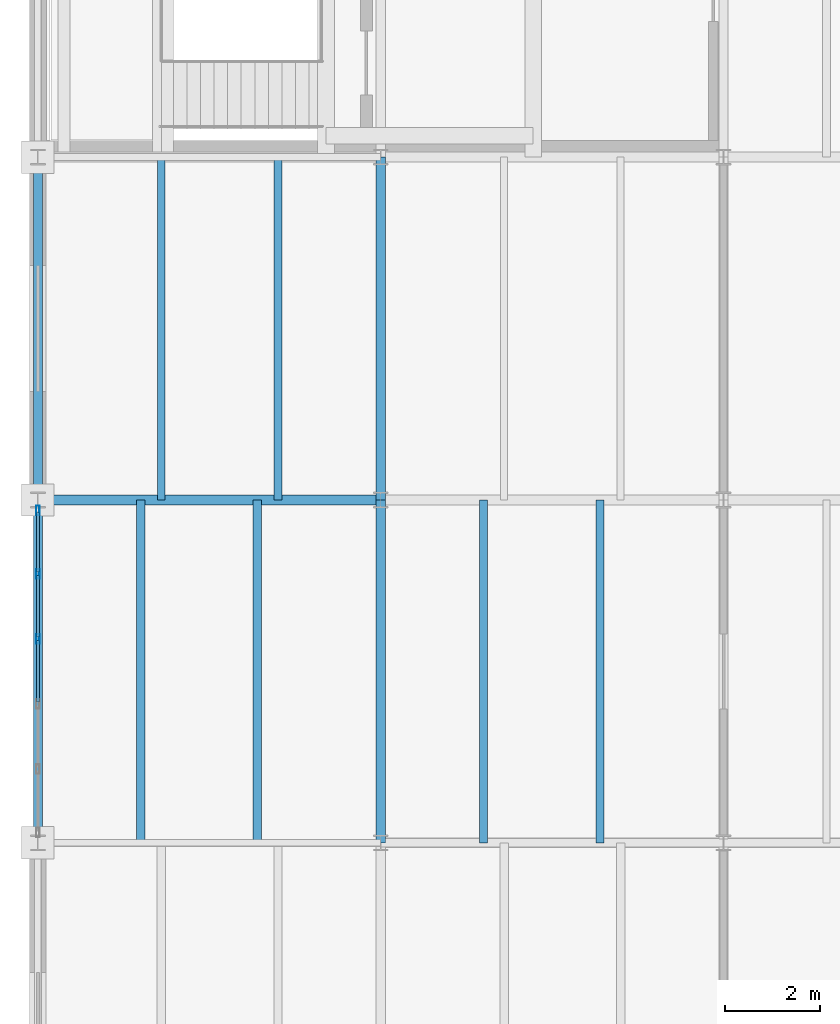
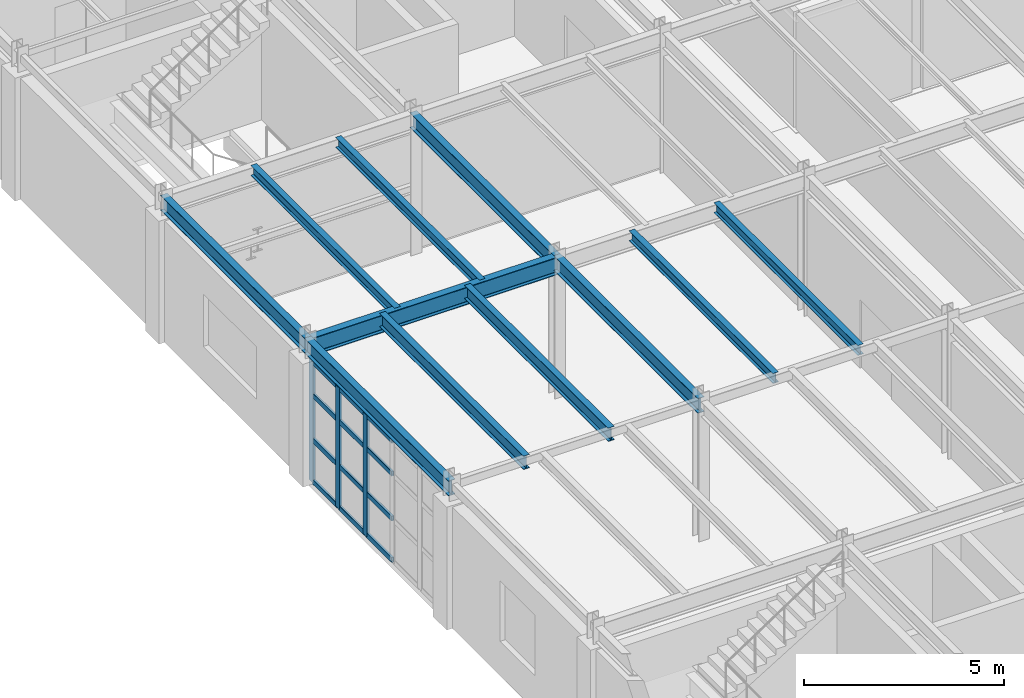
# One storey, part 32 of 137: 15 members, 11 beams, 1 element without a shape of its own.
"""IFC4 building model written with IfcOpenShell, lengths in metres."""

from ifc_helpers import new_model, si_unit, direction, frame, origin, origin_2d, place, context, subcontext, project, spatial, hollow_rectangle, i_section, extrude, material, layer, layer_set, material_profile, profile_set, type_object, element, aggregate, save


model = new_model("IFC4")

# Units and contexts
model_context = context("Model", 3, precision=1e-05, world=origin(), true_north=direction((0.0, 1.0)))
body_context = subcontext(model_context, "Body", "Model", "MODEL_VIEW")
ifc_project = project(units=[si_unit("LENGTHUNIT", "METRE"), si_unit("AREAUNIT", "SQUARE_METRE"), si_unit("VOLUMEUNIT", "CUBIC_METRE"), si_unit("PLANEANGLEUNIT", "RADIAN"), si_unit("MASSUNIT", "GRAM", prefix="KILO")], contexts=[model_context])

# Site, building, storey
site_placement = place(None, origin())
site = spatial("IfcSite", under=ifc_project, at=site_placement, CompositionType="ELEMENT")
building_placement = place(site_placement, origin())
building = spatial("IfcBuilding", under=site, at=building_placement, Name="Kemerveld Promenade Tramway Depot", CompositionType="ELEMENT")
storey_placement = place(building_placement, frame((0.0, 0.0, 5.39990234375)))
storey = spatial("IfcBuildingStorey", under=building, at=storey_placement, Name="L01", CompositionType="ELEMENT", Elevation=5.39990234375)

# Beams
ifc_material_1 = material(Name="Steel S355", Category="steel")
ifc_material_profile_1 = material_profile(ifc_material_1, i_section(OverallWidth=0.2099609375, OverallDepth=0.53662109375, WebThickness=0.0107421875, FlangeThickness=0.017333984375, FilletRadius=0.0126953125, at=origin_2d()), Name="533x210x101 UB")
ifc_profile_set_1 = profile_set([ifc_material_profile_1], Name="Steel S355")
beam_type_1 = type_object("IfcBeamType", Name="BM-G05", PredefinedType="BEAM", material=ifc_profile_set_1)
beam_placement = place(storey_placement, frame((0.0, 36.0, 3.99169921875), z_axis=(1.0, 0.0, 0.0), x_axis=(0.0, 1.0, 0.0)))
element("IfcBeam", 1, at=beam_placement, inside=storey, type_object=beam_type_1, Name="BMX-L01-01-02-F", PredefinedType="BEAM", context=body_context, shape_type="SweptSolid", body=[
    extrude(i_section(OverallWidth=0.2099609375, OverallDepth=0.53662109375, WebThickness=0.0107421875, FlangeThickness=0.017333984375, FilletRadius=0.0126953125, at=origin_2d()), origin(), (0.0, 0.0, 1.0), 7.199951171875),
])
ifc_material_profile_2 = material_profile(ifc_material_1, i_section(OverallWidth=0.19140625, OverallDepth=0.4599609375, WebThickness=0.010009765625, FlangeThickness=0.01611328125, FilletRadius=0.01025390625, at=origin_2d()), Name="457x191x82 UB")
ifc_profile_set_2 = profile_set([ifc_material_profile_2], Name="Steel S355")
beam_type_2 = type_object("IfcBeamType", Name="BM-G06", PredefinedType="BEAM", material=ifc_profile_set_2)
for number, where, z_axis, x_axis, name in (
    (2, (0.0, 28.800048828125, 4.030029296875), (0.0, 1.0, 0.0), (-1.0, 0.0, 0.0), "BMY-L01-01-E-F"),
    (3, (0.0, 36.0, 4.030029296875), (0.0, 1.0, 0.0), (-1.0, 0.0, 0.0), "BMY-L01-01-F-G"),
    (4, (7.199951171875, 28.800048828125, 4.030029296875), (0.0, 1.0, 0.0), (-1.0, 0.0, 0.0), "BMY-L01-02-E-F"),
    (5, (7.199951171875, 36.0, 4.030029296875), (0.0, 1.0, 0.0), (-1.0, 0.0, 0.0), "BMY-L01-02-F-G"),
):
    element("IfcBeam", number, at=place(storey_placement, frame(where, z_axis=z_axis, x_axis=x_axis)), inside=storey, type_object=beam_type_2, Name=name, PredefinedType="BEAM", context=body_context, shape_type="SweptSolid", body=[
        extrude(i_section(OverallWidth=0.19140625, OverallDepth=0.4599609375, WebThickness=0.010009765625, FlangeThickness=0.01611328125, FilletRadius=0.01025390625, at=origin_2d()), origin(), (0.0, 0.0, 1.0), 7.199951171875),
    ])
ifc_material_profile_3 = material_profile(ifc_material_1, i_section(OverallWidth=0.165771484375, OverallDepth=0.306640625, WebThickness=0.006591796875, FlangeThickness=0.01171875, FilletRadius=0.0087890625, at=origin_2d()), Name="305x165x46 UB")
ifc_profile_set_3 = profile_set([ifc_material_profile_3], Name="Steel S355")
beam_type_3 = type_object("IfcBeamType", Name="BM-J01", PredefinedType="JOIST", material=ifc_profile_set_3)
for number, where, z_axis, x_axis, name in (
    (6, (2.592041015625, 36.0, 4.106689453125), (0.0, 1.0, 0.0), (-1.0, 0.0, 0.0), "JST-L01-01-F-1"),
    (7, (5.0400390625, 36.0, 4.106689453125), (0.0, 1.0, 0.0), (-1.0, 0.0, 0.0), "JST-L01-01-F-2"),
    (8, (9.360107421875, 28.800048828125, 4.106689453125), (0.0, 1.0, 0.0), (-1.0, 0.0, 0.0), "JST-L01-02-E-1"),
    (9, (11.80810546875, 28.800048828125, 4.106689453125), (0.0, 1.0, 0.0), (-1.0, 0.0, 0.0), "JST-L01-02-E-2"),
):
    element("IfcBeam", number, at=place(storey_placement, frame(where, z_axis=z_axis, x_axis=x_axis)), inside=storey, type_object=beam_type_3, Name=name, PredefinedType="JOIST", context=body_context, shape_type="SweptSolid", body=[
        extrude(i_section(OverallWidth=0.165771484375, OverallDepth=0.306640625, WebThickness=0.006591796875, FlangeThickness=0.01171875, FilletRadius=0.0087890625, at=origin_2d()), origin(), (0.0, 0.0, 1.0), 7.199951171875),
    ])
ifc_material_profile_4 = material_profile(ifc_material_1, i_section(OverallWidth=0.1787109375, OverallDepth=0.409423828125, WebThickness=0.0087890625, FlangeThickness=0.014404296875, FilletRadius=0.01025390625, at=origin_2d()), Name="406x178x67 UB")
ifc_profile_set_4 = profile_set([ifc_material_profile_4], Name="Steel S355")
beam_type_4 = type_object("IfcBeamType", Name="BM-J05", PredefinedType="JOIST", material=ifc_profile_set_4)
for number, where, z_axis, x_axis, name in (
    (10, (2.159912109375, 28.800048828125, 4.055419921875), (0.0, 1.0, 0.0), (-1.0, 0.0, 0.0), "JST-L01-01-E-1"),
    (11, (4.60791015625, 28.800048828125, 4.055419921875), (0.0, 1.0, 0.0), (-1.0, 0.0, 0.0), "JST-L01-01-E-2"),
):
    element("IfcBeam", number, at=place(storey_placement, frame(where, z_axis=z_axis, x_axis=x_axis)), inside=storey, type_object=beam_type_4, Name=name, PredefinedType="JOIST", context=body_context, shape_type="SweptSolid", body=[
        extrude(i_section(OverallWidth=0.1787109375, OverallDepth=0.409423828125, WebThickness=0.0087890625, FlangeThickness=0.014404296875, FilletRadius=0.01025390625, at=origin_2d()), origin(), (0.0, 0.0, 1.0), 7.199951171875),
    ])

# Curtain wall, members
ifc_material_2 = material(Name="Bronze anodised aluminium and solar glass", Category="aluminium")
ifc_layer = layer(ifc_material_2, 0.199951171875)
ifc_layer_set = layer_set([ifc_layer], Name="CW-SYS-08")
curtain_wall_type = type_object("IfcCurtainWallType", Name="CW-SYS-08", PredefinedType="USERDEFINED", material=ifc_layer_set)
curtain_wall_placement = place(storey_placement, origin())
curtain_wall = element("IfcCurtainWall", 12, at=curtain_wall_placement, inside=storey, type_object=curtain_wall_type, Name="CW-L01-V5W-05", ObjectType="GLAZED_CURTAIN_WALL", PredefinedType="USERDEFINED")
ifc_material_3 = material(Name="Bronze anodised aluminium", Category="aluminium")
ifc_material_profile_5 = material_profile(ifc_material_3, hollow_rectangle(XDim=0.074951171875, YDim=0.199951171875, WallThickness=0.0048828125, InnerFilletRadius=0.001953125, OuterFilletRadius=0.0048828125, at=origin_2d()), Name="CW-MUL-200x75")
ifc_profile_set_5 = profile_set([ifc_material_profile_5], Name="Bronze anodised aluminium")
member_type_1 = type_object("IfcMemberType", Name="CW-MUL-B", PredefinedType="MULLION", material=ifc_profile_set_5)
member_1_placement = place(storey_placement, frame((0.0, 33.083251953125, 0.0), z_axis=(0.0, 0.0, 1.0), x_axis=(-1.0, 0.0, 0.0)))
member_1 = element("IfcMember", 13, at=member_1_placement, type_object=member_type_1, Name="CW08 mullion 4", PredefinedType="MULLION", context=body_context, shape_type="SweptSolid", body=[
    extrude(hollow_rectangle(XDim=0.074951171875, YDim=0.199951171875, WallThickness=0.0048828125, InnerFilletRadius=0.001953125, OuterFilletRadius=0.0048828125, at=origin_2d()), origin(), (0.0, 0.0, 1.0), 3.70361328125),
])
member_2_placement = place(storey_placement, frame((0.0, 34.449951171875, 0.0), z_axis=(0.0, 0.0, 1.0), x_axis=(-1.0, 0.0, 0.0)))
member_2 = element("IfcMember", 14, at=member_2_placement, type_object=member_type_1, Name="CW08 mullion 5", PredefinedType="MULLION", context=body_context, shape_type="SweptSolid", body=[
    extrude(hollow_rectangle(XDim=0.074951171875, YDim=0.199951171875, WallThickness=0.0048828125, InnerFilletRadius=0.001953125, OuterFilletRadius=0.0048828125, at=origin_2d()), origin(), (0.0, 0.0, 1.0), 3.70361328125),
])
member_3_placement = place(storey_placement, frame((0.0, 35.779052734375, 0.0), z_axis=(0.0, 0.0, 1.0), x_axis=(-1.0, 0.0, 0.0)))
member_3 = element("IfcMember", 15, at=member_3_placement, type_object=member_type_1, Name="CW08 mullion 6", PredefinedType="MULLION", context=body_context, shape_type="SweptSolid", body=[
    extrude(hollow_rectangle(XDim=0.074951171875, YDim=0.199951171875, WallThickness=0.0048828125, InnerFilletRadius=0.001953125, OuterFilletRadius=0.0048828125, at=origin_2d()), origin(), (0.0, 0.0, 1.0), 3.70361328125),
])
ifc_material_profile_6 = material_profile(ifc_material_3, hollow_rectangle(XDim=0.06494140625, YDim=0.14990234375, WallThickness=0.00439453125, InnerFilletRadius=0.001953125, OuterFilletRadius=0.00439453125, at=origin_2d()), Name="CW-TRN-150x65")
ifc_profile_set_6 = profile_set([ifc_material_profile_6], Name="Bronze anodised aluminium")
member_type_2 = type_object("IfcMemberType", Name="CW-TRN-B", PredefinedType="USERDEFINED", material=ifc_profile_set_6)
member_4_placement = place(storey_placement, frame((0.0, 31.754150390625, 0.03271484375), z_axis=(0.0, 1.0, 0.0), x_axis=(-1.0, 0.0, 0.0)))
member_4 = element("IfcMember", 16, at=member_4_placement, type_object=member_type_2, Name="CW08 transom 3.1", ObjectType="TRANSOM", PredefinedType="USERDEFINED", context=body_context, shape_type="SweptSolid", body=[
    extrude(hollow_rectangle(XDim=0.06494140625, YDim=0.14990234375, WallThickness=0.00439453125, InnerFilletRadius=0.001953125, OuterFilletRadius=0.00439453125, at=origin_2d()), origin(), (0.0, 0.0, 1.0), 1.291748046875),
])
member_5_placement = place(storey_placement, frame((0.0, 31.754150390625, 1.296142578125), z_axis=(0.0, 1.0, 0.0), x_axis=(-1.0, 0.0, 0.0)))
member_5 = element("IfcMember", 17, at=member_5_placement, type_object=member_type_2, Name="CW08 transom 3.2", ObjectType="TRANSOM", PredefinedType="USERDEFINED", context=body_context, shape_type="SweptSolid", body=[
    extrude(hollow_rectangle(XDim=0.06494140625, YDim=0.14990234375, WallThickness=0.00439453125, InnerFilletRadius=0.001953125, OuterFilletRadius=0.00439453125, at=origin_2d()), origin(), (0.0, 0.0, 1.0), 1.291748046875),
])
member_6_placement = place(storey_placement, frame((0.0, 31.754150390625, 2.666015625), z_axis=(0.0, 1.0, 0.0), x_axis=(-1.0, 0.0, 0.0)))
member_6 = element("IfcMember", 18, at=member_6_placement, type_object=member_type_2, Name="CW08 transom 3.3", ObjectType="TRANSOM", PredefinedType="USERDEFINED", context=body_context, shape_type="SweptSolid", body=[
    extrude(hollow_rectangle(XDim=0.06494140625, YDim=0.14990234375, WallThickness=0.00439453125, InnerFilletRadius=0.001953125, OuterFilletRadius=0.00439453125, at=origin_2d()), origin(), (0.0, 0.0, 1.0), 1.291748046875),
])
member_7_placement = place(storey_placement, frame((0.0, 31.754150390625, 3.6708984375), z_axis=(0.0, 1.0, 0.0), x_axis=(-1.0, 0.0, 0.0)))
member_7 = element("IfcMember", 19, at=member_7_placement, type_object=member_type_2, Name="CW08 transom 3.4", ObjectType="TRANSOM", PredefinedType="USERDEFINED", context=body_context, shape_type="SweptSolid", body=[
    extrude(hollow_rectangle(XDim=0.06494140625, YDim=0.14990234375, WallThickness=0.00439453125, InnerFilletRadius=0.001953125, OuterFilletRadius=0.00439453125, at=origin_2d()), origin(), (0.0, 0.0, 1.0), 1.291748046875),
])
member_8_placement = place(storey_placement, frame((0.0, 33.120849609375, 0.03271484375), z_axis=(0.0, 1.0, 0.0), x_axis=(-1.0, 0.0, 0.0)))
member_8 = element("IfcMember", 20, at=member_8_placement, type_object=member_type_2, Name="CW08 transom 4.1", ObjectType="TRANSOM", PredefinedType="USERDEFINED", context=body_context, shape_type="SweptSolid", body=[
    extrude(hollow_rectangle(XDim=0.06494140625, YDim=0.14990234375, WallThickness=0.00439453125, InnerFilletRadius=0.001953125, OuterFilletRadius=0.00439453125, at=origin_2d()), origin(), (0.0, 0.0, 1.0), 1.29150390625),
])
member_9_placement = place(storey_placement, frame((0.0, 33.120849609375, 1.296142578125), z_axis=(0.0, 1.0, 0.0), x_axis=(-1.0, 0.0, 0.0)))
member_9 = element("IfcMember", 21, at=member_9_placement, type_object=member_type_2, Name="CW08 transom 4.2", ObjectType="TRANSOM", PredefinedType="USERDEFINED", context=body_context, shape_type="SweptSolid", body=[
    extrude(hollow_rectangle(XDim=0.06494140625, YDim=0.14990234375, WallThickness=0.00439453125, InnerFilletRadius=0.001953125, OuterFilletRadius=0.00439453125, at=origin_2d()), origin(), (0.0, 0.0, 1.0), 1.29150390625),
])
member_10_placement = place(storey_placement, frame((0.0, 33.120849609375, 2.666015625), z_axis=(0.0, 1.0, 0.0), x_axis=(-1.0, 0.0, 0.0)))
member_10 = element("IfcMember", 22, at=member_10_placement, type_object=member_type_2, Name="CW08 transom 4.3", ObjectType="TRANSOM", PredefinedType="USERDEFINED", context=body_context, shape_type="SweptSolid", body=[
    extrude(hollow_rectangle(XDim=0.06494140625, YDim=0.14990234375, WallThickness=0.00439453125, InnerFilletRadius=0.001953125, OuterFilletRadius=0.00439453125, at=origin_2d()), origin(), (0.0, 0.0, 1.0), 1.29150390625),
])
member_11_placement = place(storey_placement, frame((0.0, 33.120849609375, 3.6708984375), z_axis=(0.0, 1.0, 0.0), x_axis=(-1.0, 0.0, 0.0)))
member_11 = element("IfcMember", 23, at=member_11_placement, type_object=member_type_2, Name="CW08 transom 4.4", ObjectType="TRANSOM", PredefinedType="USERDEFINED", context=body_context, shape_type="SweptSolid", body=[
    extrude(hollow_rectangle(XDim=0.06494140625, YDim=0.14990234375, WallThickness=0.00439453125, InnerFilletRadius=0.001953125, OuterFilletRadius=0.00439453125, at=origin_2d()), origin(), (0.0, 0.0, 1.0), 1.29150390625),
])
member_12_placement = place(storey_placement, frame((0.0, 34.4873046875, 0.03271484375), z_axis=(0.0, 1.0, 0.0), x_axis=(-1.0, 0.0, 0.0)))
member_12 = element("IfcMember", 24, at=member_12_placement, type_object=member_type_2, Name="CW08 transom 5.1", ObjectType="TRANSOM", PredefinedType="USERDEFINED", context=body_context, shape_type="SweptSolid", body=[
    extrude(hollow_rectangle(XDim=0.06494140625, YDim=0.14990234375, WallThickness=0.00439453125, InnerFilletRadius=0.001953125, OuterFilletRadius=0.00439453125, at=origin_2d()), origin(), (0.0, 0.0, 1.0), 1.254150390625),
])
member_13_placement = place(storey_placement, frame((0.0, 34.4873046875, 1.296142578125), z_axis=(0.0, 1.0, 0.0), x_axis=(-1.0, 0.0, 0.0)))
member_13 = element("IfcMember", 25, at=member_13_placement, type_object=member_type_2, Name="CW08 transom 5.2", ObjectType="TRANSOM", PredefinedType="USERDEFINED", context=body_context, shape_type="SweptSolid", body=[
    extrude(hollow_rectangle(XDim=0.06494140625, YDim=0.14990234375, WallThickness=0.00439453125, InnerFilletRadius=0.001953125, OuterFilletRadius=0.00439453125, at=origin_2d()), origin(), (0.0, 0.0, 1.0), 1.254150390625),
])
member_14_placement = place(storey_placement, frame((0.0, 34.4873046875, 2.666015625), z_axis=(0.0, 1.0, 0.0), x_axis=(-1.0, 0.0, 0.0)))
member_14 = element("IfcMember", 26, at=member_14_placement, type_object=member_type_2, Name="CW08 transom 5.3", ObjectType="TRANSOM", PredefinedType="USERDEFINED", context=body_context, shape_type="SweptSolid", body=[
    extrude(hollow_rectangle(XDim=0.06494140625, YDim=0.14990234375, WallThickness=0.00439453125, InnerFilletRadius=0.001953125, OuterFilletRadius=0.00439453125, at=origin_2d()), origin(), (0.0, 0.0, 1.0), 1.254150390625),
])
member_15_placement = place(storey_placement, frame((0.0, 34.4873046875, 3.6708984375), z_axis=(0.0, 1.0, 0.0), x_axis=(-1.0, 0.0, 0.0)))
member_15 = element("IfcMember", 27, at=member_15_placement, type_object=member_type_2, Name="CW08 transom 5.4", ObjectType="TRANSOM", PredefinedType="USERDEFINED", context=body_context, shape_type="SweptSolid", body=[
    extrude(hollow_rectangle(XDim=0.06494140625, YDim=0.14990234375, WallThickness=0.00439453125, InnerFilletRadius=0.001953125, OuterFilletRadius=0.00439453125, at=origin_2d()), origin(), (0.0, 0.0, 1.0), 1.254150390625),
])
aggregate(curtain_wall, [member_1, member_2, member_3, member_4, member_5, member_6, member_7, member_8, member_9, member_10, member_11, member_12, member_13, member_14, member_15])

save(model, "model.ifc")
